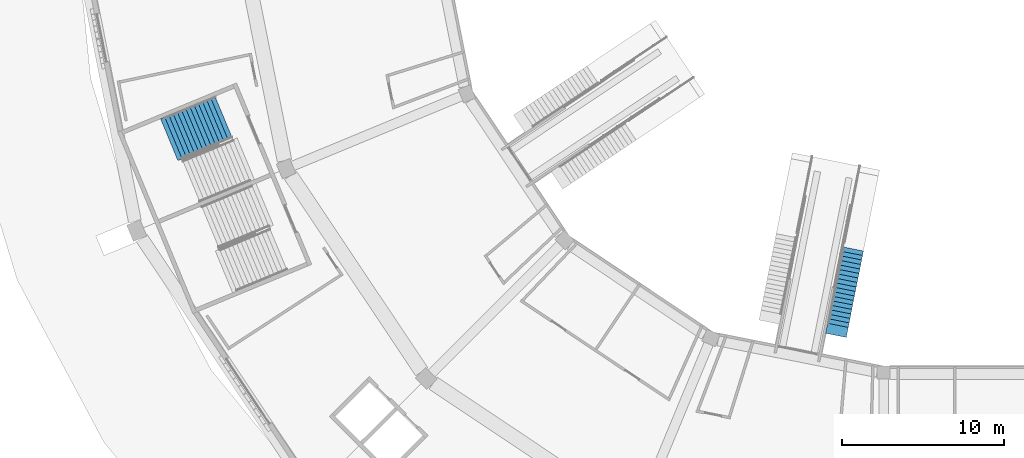
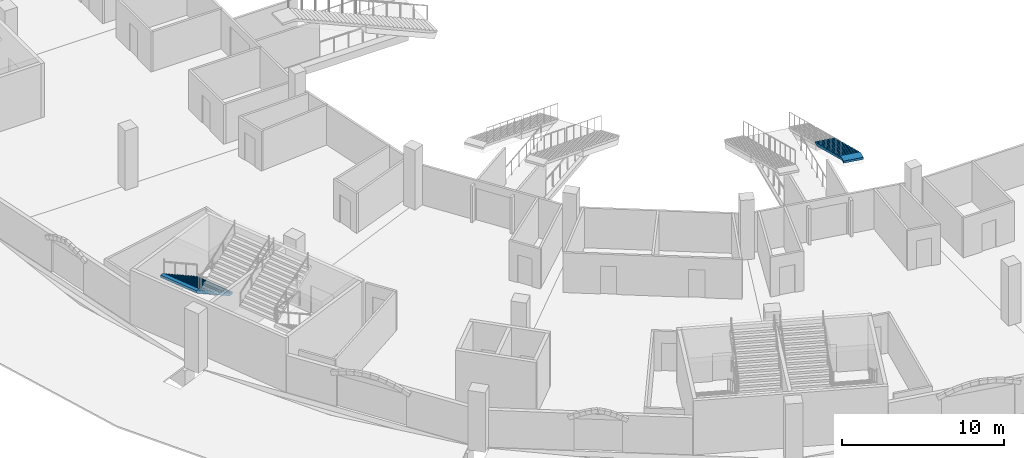
# One storey, part 53 of 175: 2 stair flights, 2 elements without a shape of their own.
"""IFC4 building model written with IfcOpenShell, lengths in metres."""

from ifc_helpers import new_model, si_unit, direction, frame, origin, place, context, subcontext, project, spatial, faceted_brep, material, type_object, element, aggregate, save


model = new_model("IFC4")

# Units and contexts
model_context = context("Model", 3, precision=1e-05, world=origin(), true_north=direction((0.0, 1.0)))
body_context = subcontext(model_context, "Body", "Model", "MODEL_VIEW")
ifc_project = project(units=[si_unit("LENGTHUNIT", "METRE"), si_unit("AREAUNIT", "SQUARE_METRE"), si_unit("VOLUMEUNIT", "CUBIC_METRE"), si_unit("PLANEANGLEUNIT", "RADIAN"), si_unit("MASSUNIT", "GRAM", prefix="KILO")], contexts=[model_context])

# Site, building, storey
site_placement = place(None, origin())
site = spatial("IfcSite", under=ifc_project, at=site_placement, CompositionType="ELEMENT")
building_placement = place(site_placement, origin())
building = spatial("IfcBuilding", under=site, at=building_placement, Name="Ogive Plaza Stadium", CompositionType="ELEMENT")
storey_placement = place(building_placement, origin())
storey = spatial("IfcBuildingStorey", under=building, at=storey_placement, Name="L00", CompositionType="ELEMENT", Elevation=0.0)

# Stair, stair flight
ifc_material_1 = material(Name="Concrete C40/50", Category="concrete")
stair_type_1 = type_object("IfcStairType", Name="Aisle stair", PredefinedType="STRAIGHT_RUN_STAIR", material=ifc_material_1)
stair_1_placement = place(storey_placement, origin())
stair_1 = element("IfcStair", 1, at=stair_1_placement, inside=storey, type_object=stair_type_1, Name="Aisle stair SA17R", PredefinedType="STRAIGHT_RUN_STAIR")
ifc_material_2 = material(Name="Concrete C40/50", Category="concrete")
stair_flight_type_1 = type_object("IfcStairFlightType", Name="Aisle stair flight", PredefinedType="STRAIGHT", material=ifc_material_2)
stair_flight_1_placement = place(storey_placement, frame((-35.890869140625, -72.7705078125, 2.25), z_axis=(0.0, 0.0, 1.0), x_axis=(-0.195090322016, -0.980785280403, 0.0)))
stair_flight_1 = element("IfcStairFlight", 2, at=stair_flight_1_placement, type_object=stair_flight_type_1, Name="SA17R flight 2", NumberOfRisers=18, NumberOfTreads=17, PredefinedType="STRAIGHT", RiserHeight=0.125, TreadLength=0.283333333, context=body_context, shape_type="Brep", body=[
    faceted_brep([(0.371337890625, -0.64990234375, 0.0), (5.10009765625, -0.64990234375, 2.086181640625), (5.446533203125, -0.64990234375, 2.086181640625), (5.446533203125, -0.64990234375, 2.25), (4.816650390625, -0.64990234375, 2.25), (4.816650390625, -0.64990234375, 2.125), (4.533447265625, -0.64990234375, 2.125), (4.533447265625, -0.64990234375, 2.0), (4.25, -0.64990234375, 2.0), (4.25, -0.64990234375, 1.875), (3.966552734375, -0.64990234375, 1.875), (3.966552734375, -0.64990234375, 1.75), (3.683349609375, -0.64990234375, 1.75), (3.683349609375, -0.64990234375, 1.625), (3.39990234375, -0.64990234375, 1.625), (3.39990234375, -0.64990234375, 1.5), (3.11669921875, -0.64990234375, 1.5), (3.11669921875, -0.64990234375, 1.375), (2.833251953125, -0.64990234375, 1.375), (2.833251953125, -0.64990234375, 1.25), (2.550048828125, -0.64990234375, 1.25), (2.550048828125, -0.64990234375, 1.125), (2.2666015625, -0.64990234375, 1.125), (2.2666015625, -0.64990234375, 1.0), (1.9833984375, -0.64990234375, 1.0), (1.9833984375, -0.64990234375, 0.875), (1.699951171875, -0.64990234375, 0.875), (1.699951171875, -0.64990234375, 0.75), (1.416748046875, -0.64990234375, 0.75), (1.416748046875, -0.64990234375, 0.625), (1.13330078125, -0.64990234375, 0.625), (1.13330078125, -0.64990234375, 0.5), (0.85009765625, -0.64990234375, 0.5), (0.85009765625, -0.64990234375, 0.375), (0.566650390625, -0.64990234375, 0.375), (0.566650390625, -0.64990234375, 0.25), (0.283447265625, -0.64990234375, 0.25), (0.283447265625, -0.64990234375, 0.125), (0.0, -0.64990234375, 0.125), (0.0, -0.64990234375, 0.0), (0.0, 0.64990234375, 0.0), (0.0, 0.64990234375, 0.125), (0.283447265625, 0.64990234375, 0.125), (0.283447265625, 0.64990234375, 0.25), (0.566650390625, 0.64990234375, 0.25), (0.566650390625, 0.64990234375, 0.375), (0.85009765625, 0.64990234375, 0.375), (0.85009765625, 0.64990234375, 0.5), (1.13330078125, 0.64990234375, 0.5), (1.13330078125, 0.64990234375, 0.625), (1.416748046875, 0.64990234375, 0.625), (1.416748046875, 0.64990234375, 0.75), (1.699951171875, 0.64990234375, 0.75), (1.699951171875, 0.64990234375, 0.875), (1.9833984375, 0.64990234375, 0.875), (1.9833984375, 0.64990234375, 1.0), (2.2666015625, 0.64990234375, 1.0), (2.2666015625, 0.64990234375, 1.125), (2.550048828125, 0.64990234375, 1.125), (2.550048828125, 0.64990234375, 1.25), (2.833251953125, 0.64990234375, 1.25), (2.833251953125, 0.64990234375, 1.375), (3.11669921875, 0.64990234375, 1.375), (3.11669921875, 0.64990234375, 1.5), (3.39990234375, 0.64990234375, 1.5), (3.39990234375, 0.64990234375, 1.625), (3.683349609375, 0.64990234375, 1.625), (3.683349609375, 0.64990234375, 1.75), (3.966552734375, 0.64990234375, 1.75), (3.966552734375, 0.64990234375, 1.875), (4.25, 0.64990234375, 1.875), (4.25, 0.64990234375, 2.0), (4.533447265625, 0.64990234375, 2.0), (4.533447265625, 0.64990234375, 2.125), (4.816650390625, 0.64990234375, 2.125), (4.816650390625, 0.64990234375, 2.25), (5.446533203125, 0.64990234375, 2.25), (5.446533203125, 0.64990234375, 2.086181640625), (5.10009765625, 0.64990234375, 2.086181640625), (0.371337890625, 0.64990234375, 0.0), (0.371337890625, -0.324951171875, 0.0), (5.10009765625, -0.324951171875, 2.086181640625), (0.371337890625, 0.0, 0.0), (5.10009765625, 0.0, 2.086181640625), (0.371337890625, 0.324951171875, 0.0), (5.10009765625, 0.324951171875, 2.086181640625), (5.446533203125, -0.324951171875, 2.086181640625), (5.446533203125, 0.0, 2.086181640625), (5.446533203125, 0.324951171875, 2.086181640625), (5.446533203125, -0.324951171875, 2.25), (5.446533203125, 0.0, 2.25), (5.446533203125, 0.324951171875, 2.25), (4.816650390625, -0.324951171875, 2.25), (4.816650390625, 0.0, 2.25), (4.816650390625, 0.324951171875, 2.25), (4.816650390625, -0.324951171875, 2.125), (4.816650390625, 0.0, 2.125), (4.816650390625, 0.324951171875, 2.125), (4.533447265625, -0.324951171875, 2.125), (4.533447265625, 0.0, 2.125), (4.533447265625, 0.324951171875, 2.125), (4.533447265625, -0.324951171875, 2.0), (4.533447265625, 0.0, 2.0), (4.533447265625, 0.324951171875, 2.0), (4.25, -0.324951171875, 2.0), (4.25, 0.0, 2.0), (4.25, 0.324951171875, 2.0), (4.25, -0.324951171875, 1.875), (4.25, 0.0, 1.875), (4.25, 0.324951171875, 1.875), (3.966552734375, -0.324951171875, 1.875), (3.966552734375, 0.0, 1.875), (3.966552734375, 0.324951171875, 1.875), (3.966552734375, -0.324951171875, 1.75), (3.966552734375, 0.0, 1.75), (3.966552734375, 0.324951171875, 1.75), (3.683349609375, -0.324951171875, 1.75), (3.683349609375, 0.0, 1.75), (3.683349609375, 0.324951171875, 1.75), (3.683349609375, -0.324951171875, 1.625), (3.683349609375, 0.0, 1.625), (3.683349609375, 0.324951171875, 1.625), (3.39990234375, -0.324951171875, 1.625), (3.39990234375, 0.0, 1.625), (3.39990234375, 0.324951171875, 1.625), (3.39990234375, -0.324951171875, 1.5), (3.39990234375, 0.0, 1.5), (3.39990234375, 0.324951171875, 1.5), (3.11669921875, -0.324951171875, 1.5), (3.11669921875, 0.0, 1.5), (3.11669921875, 0.324951171875, 1.5), (3.11669921875, -0.324951171875, 1.375), (3.11669921875, 0.0, 1.375), (3.11669921875, 0.324951171875, 1.375), (2.833251953125, -0.324951171875, 1.375), (2.833251953125, 0.0, 1.375), (2.833251953125, 0.324951171875, 1.375), (2.833251953125, -0.324951171875, 1.25), (2.833251953125, 0.0, 1.25), (2.833251953125, 0.324951171875, 1.25), (2.550048828125, -0.324951171875, 1.25), (2.550048828125, 0.0, 1.25), (2.550048828125, 0.324951171875, 1.25), (2.550048828125, -0.324951171875, 1.125), (2.550048828125, 0.0, 1.125), (2.550048828125, 0.324951171875, 1.125), (2.2666015625, -0.324951171875, 1.125), (2.2666015625, 0.0, 1.125), (2.2666015625, 0.324951171875, 1.125), (2.2666015625, -0.324951171875, 1.0), (2.2666015625, 0.0, 1.0), (2.2666015625, 0.324951171875, 1.0), (1.9833984375, -0.324951171875, 1.0), (1.9833984375, 0.0, 1.0), (1.9833984375, 0.324951171875, 1.0), (1.9833984375, -0.324951171875, 0.875), (1.9833984375, 0.0, 0.875), (1.9833984375, 0.324951171875, 0.875), (1.699951171875, -0.324951171875, 0.875), (1.699951171875, 0.0, 0.875), (1.699951171875, 0.324951171875, 0.875), (1.699951171875, -0.324951171875, 0.75), (1.699951171875, 0.0, 0.75), (1.699951171875, 0.324951171875, 0.75), (1.416748046875, -0.324951171875, 0.75), (1.416748046875, 0.0, 0.75), (1.416748046875, 0.324951171875, 0.75), (1.416748046875, -0.324951171875, 0.625), (1.416748046875, 0.0, 0.625), (1.416748046875, 0.324951171875, 0.625), (1.13330078125, -0.324951171875, 0.625), (1.13330078125, 0.0, 0.625), (1.13330078125, 0.324951171875, 0.625), (1.13330078125, -0.324951171875, 0.5), (1.13330078125, 0.0, 0.5), (1.13330078125, 0.324951171875, 0.5), (0.85009765625, -0.324951171875, 0.5), (0.85009765625, 0.0, 0.5), (0.85009765625, 0.324951171875, 0.5), (0.85009765625, -0.324951171875, 0.375), (0.85009765625, 0.0, 0.375), (0.85009765625, 0.324951171875, 0.375), (0.566650390625, -0.324951171875, 0.375), (0.566650390625, 0.0, 0.375), (0.566650390625, 0.324951171875, 0.375), (0.566650390625, -0.324951171875, 0.25), (0.566650390625, 0.0, 0.25), (0.566650390625, 0.324951171875, 0.25), (0.283447265625, -0.324951171875, 0.25), (0.283447265625, 0.0, 0.25), (0.283447265625, 0.324951171875, 0.25), (0.283447265625, -0.324951171875, 0.125), (0.283447265625, 0.0, 0.125), (0.283447265625, 0.324951171875, 0.125), (0.0, -0.324951171875, 0.125), (0.0, 0.0, 0.125), (0.0, 0.324951171875, 0.125), (0.0, -0.324951171875, 0.0), (0.0, 0.0, 0.0), (0.0, 0.324951171875, 0.0)], [[[0, 1, 2, 3, 4, 5, 6, 7, 8, 9, 10, 11, 12, 13, 14, 15, 16, 17, 18, 19, 20, 21, 22, 23, 24, 25, 26, 27, 28, 29, 30, 31, 32, 33, 34, 35, 36, 37, 38, 39]], [[40, 41, 42, 43, 44, 45, 46, 47, 48, 49, 50, 51, 52, 53, 54, 55, 56, 57, 58, 59, 60, 61, 62, 63, 64, 65, 66, 67, 68, 69, 70, 71, 72, 73, 74, 75, 76, 77, 78, 79]], [[0, 80, 81, 1]], [[80, 82, 83, 81]], [[82, 84, 85, 83]], [[84, 79, 78, 85]], [[1, 81, 86, 2]], [[81, 83, 87, 86]], [[83, 85, 88, 87]], [[85, 78, 77, 88]], [[2, 86, 89, 3]], [[86, 87, 90, 89]], [[87, 88, 91, 90]], [[88, 77, 76, 91]], [[3, 89, 92, 4]], [[89, 90, 93, 92]], [[90, 91, 94, 93]], [[91, 76, 75, 94]], [[4, 92, 95, 5]], [[92, 93, 96, 95]], [[93, 94, 97, 96]], [[94, 75, 74, 97]], [[5, 95, 98, 6]], [[95, 96, 99, 98]], [[96, 97, 100, 99]], [[97, 74, 73, 100]], [[6, 98, 101, 7]], [[98, 99, 102, 101]], [[99, 100, 103, 102]], [[100, 73, 72, 103]], [[7, 101, 104, 8]], [[101, 102, 105, 104]], [[102, 103, 106, 105]], [[103, 72, 71, 106]], [[8, 104, 107, 9]], [[104, 105, 108, 107]], [[105, 106, 109, 108]], [[106, 71, 70, 109]], [[9, 107, 110, 10]], [[107, 108, 111, 110]], [[108, 109, 112, 111]], [[109, 70, 69, 112]], [[10, 110, 113, 11]], [[110, 111, 114, 113]], [[111, 112, 115, 114]], [[112, 69, 68, 115]], [[11, 113, 116, 12]], [[113, 114, 117, 116]], [[114, 115, 118, 117]], [[115, 68, 67, 118]], [[12, 116, 119, 13]], [[116, 117, 120, 119]], [[117, 118, 121, 120]], [[118, 67, 66, 121]], [[13, 119, 122, 14]], [[119, 120, 123, 122]], [[120, 121, 124, 123]], [[121, 66, 65, 124]], [[14, 122, 125, 15]], [[122, 123, 126, 125]], [[123, 124, 127, 126]], [[124, 65, 64, 127]], [[15, 125, 128, 16]], [[125, 126, 129, 128]], [[126, 127, 130, 129]], [[127, 64, 63, 130]], [[16, 128, 131, 17]], [[128, 129, 132, 131]], [[129, 130, 133, 132]], [[130, 63, 62, 133]], [[17, 131, 134, 18]], [[131, 132, 135, 134]], [[132, 133, 136, 135]], [[133, 62, 61, 136]], [[18, 134, 137, 19]], [[134, 135, 138, 137]], [[135, 136, 139, 138]], [[136, 61, 60, 139]], [[19, 137, 140, 20]], [[137, 138, 141, 140]], [[138, 139, 142, 141]], [[139, 60, 59, 142]], [[20, 140, 143, 21]], [[140, 141, 144, 143]], [[141, 142, 145, 144]], [[142, 59, 58, 145]], [[21, 143, 146, 22]], [[143, 144, 147, 146]], [[144, 145, 148, 147]], [[145, 58, 57, 148]], [[22, 146, 149, 23]], [[146, 147, 150, 149]], [[147, 148, 151, 150]], [[148, 57, 56, 151]], [[23, 149, 152, 24]], [[149, 150, 153, 152]], [[150, 151, 154, 153]], [[151, 56, 55, 154]], [[24, 152, 155, 25]], [[152, 153, 156, 155]], [[153, 154, 157, 156]], [[154, 55, 54, 157]], [[25, 155, 158, 26]], [[155, 156, 159, 158]], [[156, 157, 160, 159]], [[157, 54, 53, 160]], [[26, 158, 161, 27]], [[158, 159, 162, 161]], [[159, 160, 163, 162]], [[160, 53, 52, 163]], [[27, 161, 164, 28]], [[161, 162, 165, 164]], [[162, 163, 166, 165]], [[163, 52, 51, 166]], [[28, 164, 167, 29]], [[164, 165, 168, 167]], [[165, 166, 169, 168]], [[166, 51, 50, 169]], [[29, 167, 170, 30]], [[167, 168, 171, 170]], [[168, 169, 172, 171]], [[169, 50, 49, 172]], [[30, 170, 173, 31]], [[170, 171, 174, 173]], [[171, 172, 175, 174]], [[172, 49, 48, 175]], [[31, 173, 176, 32]], [[173, 174, 177, 176]], [[174, 175, 178, 177]], [[175, 48, 47, 178]], [[32, 176, 179, 33]], [[176, 177, 180, 179]], [[177, 178, 181, 180]], [[178, 47, 46, 181]], [[33, 179, 182, 34]], [[179, 180, 183, 182]], [[180, 181, 184, 183]], [[181, 46, 45, 184]], [[34, 182, 185, 35]], [[182, 183, 186, 185]], [[183, 184, 187, 186]], [[184, 45, 44, 187]], [[35, 185, 188, 36]], [[185, 186, 189, 188]], [[186, 187, 190, 189]], [[187, 44, 43, 190]], [[36, 188, 191, 37]], [[188, 189, 192, 191]], [[189, 190, 193, 192]], [[190, 43, 42, 193]], [[37, 191, 194, 38]], [[191, 192, 195, 194]], [[192, 193, 196, 195]], [[193, 42, 41, 196]], [[38, 194, 197, 39]], [[194, 195, 198, 197]], [[195, 196, 199, 198]], [[196, 41, 40, 199]], [[39, 197, 80, 0]], [[197, 198, 82, 80]], [[198, 199, 84, 82]], [[199, 40, 79, 84]]]),
])
aggregate(stair_1, [stair_flight_1])

ifc_material_3 = material(Name="Concrete C40/50", Category="concrete")
stair_type_2 = type_object("IfcStairType", Name="Exit stair", PredefinedType="STRAIGHT_RUN_STAIR", material=ifc_material_3)
stair_2_placement = place(storey_placement, origin())
stair_2 = element("IfcStair", 3, at=stair_2_placement, inside=storey, type_object=stair_type_2, Name="Exit stair ST20A L00 to L01", PredefinedType="STRAIGHT_RUN_STAIR")
ifc_material_4 = material(Name="Concrete C40/50", Category="concrete")
stair_flight_type_2 = type_object("IfcStairFlightType", Name="Exit stair flight", PredefinedType="STRAIGHT", material=ifc_material_4)
stair_flight_2_placement = place(storey_placement, frame((-74.819580078125, -64.618408203125, 0.0), z_axis=(0.0, 0.0, 1.0), x_axis=(-0.923879532511, -0.382683432365, 0.0)))
stair_flight_2 = element("IfcStairFlight", 4, at=stair_flight_2_placement, type_object=stair_flight_type_2, Name="ST20A flight 1", NumberOfRisers=13, NumberOfTreads=12, PredefinedType="STRAIGHT", RiserHeight=0.173076923, TreadLength=0.28, context=body_context, shape_type="Brep", body=[
    faceted_brep([(0.28515625, -1.39990234375, 0.0), (3.639892578125, -1.39990234375, 2.07373046875), (3.639892578125, -1.39990234375, 2.25), (3.360107421875, -1.39990234375, 2.25), (3.360107421875, -1.39990234375, 2.076904296875), (3.080078125, -1.39990234375, 2.076904296875), (3.080078125, -1.39990234375, 1.90380859375), (2.800048828125, -1.39990234375, 1.90380859375), (2.800048828125, -1.39990234375, 1.730712890625), (2.52001953125, -1.39990234375, 1.730712890625), (2.52001953125, -1.39990234375, 1.5576171875), (2.239990234375, -1.39990234375, 1.5576171875), (2.239990234375, -1.39990234375, 1.384521484375), (1.9599609375, -1.39990234375, 1.384521484375), (1.9599609375, -1.39990234375, 1.21142578125), (1.679931640625, -1.39990234375, 1.21142578125), (1.679931640625, -1.39990234375, 1.03857421875), (1.39990234375, -1.39990234375, 1.03857421875), (1.39990234375, -1.39990234375, 0.865478515625), (1.1201171875, -1.39990234375, 0.865478515625), (1.1201171875, -1.39990234375, 0.6923828125), (0.840087890625, -1.39990234375, 0.6923828125), (0.840087890625, -1.39990234375, 0.519287109375), (0.56005859375, -1.39990234375, 0.519287109375), (0.56005859375, -1.39990234375, 0.34619140625), (0.280029296875, -1.39990234375, 0.34619140625), (0.280029296875, -1.39990234375, 0.173095703125), (0.0, -1.39990234375, 0.173095703125), (0.0, -1.39990234375, 0.0), (0.0, 1.39990234375, 0.0), (0.0, 1.39990234375, 0.173095703125), (0.280029296875, 1.39990234375, 0.173095703125), (0.280029296875, 1.39990234375, 0.34619140625), (0.56005859375, 1.39990234375, 0.34619140625), (0.56005859375, 1.39990234375, 0.519287109375), (0.840087890625, 1.39990234375, 0.519287109375), (0.840087890625, 1.39990234375, 0.6923828125), (1.1201171875, 1.39990234375, 0.6923828125), (1.1201171875, 1.39990234375, 0.865478515625), (1.39990234375, 1.39990234375, 0.865478515625), (1.39990234375, 1.39990234375, 1.03857421875), (1.679931640625, 1.39990234375, 1.03857421875), (1.679931640625, 1.39990234375, 1.21142578125), (1.9599609375, 1.39990234375, 1.21142578125), (1.9599609375, 1.39990234375, 1.384521484375), (2.239990234375, 1.39990234375, 1.384521484375), (2.239990234375, 1.39990234375, 1.5576171875), (2.52001953125, 1.39990234375, 1.5576171875), (2.52001953125, 1.39990234375, 1.730712890625), (2.800048828125, 1.39990234375, 1.730712890625), (2.800048828125, 1.39990234375, 1.90380859375), (3.080078125, 1.39990234375, 1.90380859375), (3.080078125, 1.39990234375, 2.076904296875), (3.360107421875, 1.39990234375, 2.076904296875), (3.360107421875, 1.39990234375, 2.25), (3.639892578125, 1.39990234375, 2.25), (3.639892578125, 1.39990234375, 2.07373046875), (0.28515625, 1.39990234375, 0.0), (0.28515625, -1.0888671875, 0.0), (3.639892578125, -1.0888671875, 2.07373046875), (0.28515625, -0.77783203125, 0.0), (3.639892578125, -0.77783203125, 2.07373046875), (0.28515625, -0.466796875, 0.0), (3.639892578125, -0.466796875, 2.07373046875), (0.28515625, -0.155517578125, 0.0), (3.639892578125, -0.155517578125, 2.07373046875), (0.28515625, 0.155517578125, 0.0), (3.639892578125, 0.155517578125, 2.07373046875), (0.28515625, 0.466796875, 0.0), (3.639892578125, 0.466796875, 2.07373046875), (0.28515625, 0.77783203125, 0.0), (3.639892578125, 0.77783203125, 2.07373046875), (0.28515625, 1.0888671875, 0.0), (3.639892578125, 1.0888671875, 2.07373046875), (3.639892578125, -1.0888671875, 2.25), (3.639892578125, -0.77783203125, 2.25), (3.639892578125, -0.466796875, 2.25), (3.639892578125, -0.155517578125, 2.25), (3.639892578125, 0.155517578125, 2.25), (3.639892578125, 0.466796875, 2.25), (3.639892578125, 0.77783203125, 2.25), (3.639892578125, 1.0888671875, 2.25), (3.360107421875, -1.0888671875, 2.25), (3.360107421875, -0.77783203125, 2.25), (3.360107421875, -0.466796875, 2.25), (3.360107421875, -0.155517578125, 2.25), (3.360107421875, 0.155517578125, 2.25), (3.360107421875, 0.466796875, 2.25), (3.360107421875, 0.77783203125, 2.25), (3.360107421875, 1.0888671875, 2.25), (3.360107421875, -1.0888671875, 2.076904296875), (3.360107421875, -0.77783203125, 2.076904296875), (3.360107421875, -0.466796875, 2.076904296875), (3.360107421875, -0.155517578125, 2.076904296875), (3.360107421875, 0.155517578125, 2.076904296875), (3.360107421875, 0.466796875, 2.076904296875), (3.360107421875, 0.77783203125, 2.076904296875), (3.360107421875, 1.0888671875, 2.076904296875), (3.080078125, -1.0888671875, 2.076904296875), (3.080078125, -0.77783203125, 2.076904296875), (3.080078125, -0.466796875, 2.076904296875), (3.080078125, -0.155517578125, 2.076904296875), (3.080078125, 0.155517578125, 2.076904296875), (3.080078125, 0.466796875, 2.076904296875), (3.080078125, 0.77783203125, 2.076904296875), (3.080078125, 1.0888671875, 2.076904296875), (3.080078125, -1.0888671875, 1.90380859375), (3.080078125, -0.77783203125, 1.90380859375), (3.080078125, -0.466796875, 1.90380859375), (3.080078125, -0.155517578125, 1.90380859375), (3.080078125, 0.155517578125, 1.90380859375), (3.080078125, 0.466796875, 1.90380859375), (3.080078125, 0.77783203125, 1.90380859375), (3.080078125, 1.0888671875, 1.90380859375), (2.800048828125, -1.0888671875, 1.90380859375), (2.800048828125, -0.77783203125, 1.90380859375), (2.800048828125, -0.466796875, 1.90380859375), (2.800048828125, -0.155517578125, 1.90380859375), (2.800048828125, 0.155517578125, 1.90380859375), (2.800048828125, 0.466796875, 1.90380859375), (2.800048828125, 0.77783203125, 1.90380859375), (2.800048828125, 1.0888671875, 1.90380859375), (2.800048828125, -1.0888671875, 1.730712890625), (2.800048828125, -0.77783203125, 1.730712890625), (2.800048828125, -0.466796875, 1.730712890625), (2.800048828125, -0.155517578125, 1.730712890625), (2.800048828125, 0.155517578125, 1.730712890625), (2.800048828125, 0.466796875, 1.730712890625), (2.800048828125, 0.77783203125, 1.730712890625), (2.800048828125, 1.0888671875, 1.730712890625), (2.52001953125, -1.0888671875, 1.730712890625), (2.52001953125, -0.77783203125, 1.730712890625), (2.52001953125, -0.466796875, 1.730712890625), (2.52001953125, -0.155517578125, 1.730712890625), (2.52001953125, 0.155517578125, 1.730712890625), (2.52001953125, 0.466796875, 1.730712890625), (2.52001953125, 0.77783203125, 1.730712890625), (2.52001953125, 1.0888671875, 1.730712890625), (2.52001953125, -1.0888671875, 1.5576171875), (2.52001953125, -0.77783203125, 1.5576171875), (2.52001953125, -0.466796875, 1.5576171875), (2.52001953125, -0.155517578125, 1.5576171875), (2.52001953125, 0.155517578125, 1.5576171875), (2.52001953125, 0.466796875, 1.5576171875), (2.52001953125, 0.77783203125, 1.5576171875), (2.52001953125, 1.0888671875, 1.5576171875), (2.239990234375, -1.0888671875, 1.5576171875), (2.239990234375, -0.77783203125, 1.5576171875), (2.239990234375, -0.466796875, 1.5576171875), (2.239990234375, -0.155517578125, 1.5576171875), (2.239990234375, 0.155517578125, 1.5576171875), (2.239990234375, 0.466796875, 1.5576171875), (2.239990234375, 0.77783203125, 1.5576171875), (2.239990234375, 1.0888671875, 1.5576171875), (2.239990234375, -1.0888671875, 1.384521484375), (2.239990234375, -0.77783203125, 1.384521484375), (2.239990234375, -0.466796875, 1.384521484375), (2.239990234375, -0.155517578125, 1.384521484375), (2.239990234375, 0.155517578125, 1.384521484375), (2.239990234375, 0.466796875, 1.384521484375), (2.239990234375, 0.77783203125, 1.384521484375), (2.239990234375, 1.0888671875, 1.384521484375), (1.9599609375, -1.0888671875, 1.384521484375), (1.9599609375, -0.77783203125, 1.384521484375), (1.9599609375, -0.466796875, 1.384521484375), (1.9599609375, -0.155517578125, 1.384521484375), (1.9599609375, 0.155517578125, 1.384521484375), (1.9599609375, 0.466796875, 1.384521484375), (1.9599609375, 0.77783203125, 1.384521484375), (1.9599609375, 1.0888671875, 1.384521484375), (1.9599609375, -1.0888671875, 1.21142578125), (1.9599609375, -0.77783203125, 1.21142578125), (1.9599609375, -0.466796875, 1.21142578125), (1.9599609375, -0.155517578125, 1.21142578125), (1.9599609375, 0.155517578125, 1.21142578125), (1.9599609375, 0.466796875, 1.21142578125), (1.9599609375, 0.77783203125, 1.21142578125), (1.9599609375, 1.0888671875, 1.21142578125), (1.679931640625, -1.0888671875, 1.21142578125), (1.679931640625, -0.77783203125, 1.21142578125), (1.679931640625, -0.466796875, 1.21142578125), (1.679931640625, -0.155517578125, 1.21142578125), (1.679931640625, 0.155517578125, 1.21142578125), (1.679931640625, 0.466796875, 1.21142578125), (1.679931640625, 0.77783203125, 1.21142578125), (1.679931640625, 1.0888671875, 1.21142578125), (1.679931640625, -1.0888671875, 1.03857421875), (1.679931640625, -0.77783203125, 1.03857421875), (1.679931640625, -0.466796875, 1.03857421875), (1.679931640625, -0.155517578125, 1.03857421875), (1.679931640625, 0.155517578125, 1.03857421875), (1.679931640625, 0.466796875, 1.03857421875), (1.679931640625, 0.77783203125, 1.03857421875), (1.679931640625, 1.0888671875, 1.03857421875), (1.39990234375, -1.0888671875, 1.03857421875), (1.39990234375, -0.77783203125, 1.03857421875), (1.39990234375, -0.466796875, 1.03857421875), (1.39990234375, -0.155517578125, 1.03857421875), (1.39990234375, 0.155517578125, 1.03857421875), (1.39990234375, 0.466796875, 1.03857421875), (1.39990234375, 0.77783203125, 1.03857421875), (1.39990234375, 1.0888671875, 1.03857421875), (1.39990234375, -1.0888671875, 0.865478515625), (1.39990234375, -0.77783203125, 0.865478515625), (1.39990234375, -0.466796875, 0.865478515625), (1.39990234375, -0.155517578125, 0.865478515625), (1.39990234375, 0.155517578125, 0.865478515625), (1.39990234375, 0.466796875, 0.865478515625), (1.39990234375, 0.77783203125, 0.865478515625), (1.39990234375, 1.0888671875, 0.865478515625), (1.1201171875, -1.0888671875, 0.865478515625), (1.1201171875, -0.77783203125, 0.865478515625), (1.1201171875, -0.466796875, 0.865478515625), (1.1201171875, -0.155517578125, 0.865478515625), (1.1201171875, 0.155517578125, 0.865478515625), (1.1201171875, 0.466796875, 0.865478515625), (1.1201171875, 0.77783203125, 0.865478515625), (1.1201171875, 1.0888671875, 0.865478515625), (1.1201171875, -1.0888671875, 0.6923828125), (1.1201171875, -0.77783203125, 0.6923828125), (1.1201171875, -0.466796875, 0.6923828125), (1.1201171875, -0.155517578125, 0.6923828125), (1.1201171875, 0.155517578125, 0.6923828125), (1.1201171875, 0.466796875, 0.6923828125), (1.1201171875, 0.77783203125, 0.6923828125), (1.1201171875, 1.0888671875, 0.6923828125), (0.840087890625, -1.0888671875, 0.6923828125), (0.840087890625, -0.77783203125, 0.6923828125), (0.840087890625, -0.466796875, 0.6923828125), (0.840087890625, -0.155517578125, 0.6923828125), (0.840087890625, 0.155517578125, 0.6923828125), (0.840087890625, 0.466796875, 0.6923828125), (0.840087890625, 0.77783203125, 0.6923828125), (0.840087890625, 1.0888671875, 0.6923828125), (0.840087890625, -1.0888671875, 0.519287109375), (0.840087890625, -0.77783203125, 0.519287109375), (0.840087890625, -0.466796875, 0.519287109375), (0.840087890625, -0.155517578125, 0.519287109375), (0.840087890625, 0.155517578125, 0.519287109375), (0.840087890625, 0.466796875, 0.519287109375), (0.840087890625, 0.77783203125, 0.519287109375), (0.840087890625, 1.0888671875, 0.519287109375), (0.56005859375, -1.0888671875, 0.519287109375), (0.56005859375, -0.77783203125, 0.519287109375), (0.56005859375, -0.466796875, 0.519287109375), (0.56005859375, -0.155517578125, 0.519287109375), (0.56005859375, 0.155517578125, 0.519287109375), (0.56005859375, 0.466796875, 0.519287109375), (0.56005859375, 0.77783203125, 0.519287109375), (0.56005859375, 1.0888671875, 0.519287109375), (0.56005859375, -1.0888671875, 0.34619140625), (0.56005859375, -0.77783203125, 0.34619140625), (0.56005859375, -0.466796875, 0.34619140625), (0.56005859375, -0.155517578125, 0.34619140625), (0.56005859375, 0.155517578125, 0.34619140625), (0.56005859375, 0.466796875, 0.34619140625), (0.56005859375, 0.77783203125, 0.34619140625), (0.56005859375, 1.0888671875, 0.34619140625), (0.280029296875, -1.0888671875, 0.34619140625), (0.280029296875, -0.77783203125, 0.34619140625), (0.280029296875, -0.466796875, 0.34619140625), (0.280029296875, -0.155517578125, 0.34619140625), (0.280029296875, 0.155517578125, 0.34619140625), (0.280029296875, 0.466796875, 0.34619140625), (0.280029296875, 0.77783203125, 0.34619140625), (0.280029296875, 1.0888671875, 0.34619140625), (0.280029296875, -1.0888671875, 0.173095703125), (0.280029296875, -0.77783203125, 0.173095703125), (0.280029296875, -0.466796875, 0.173095703125), (0.280029296875, -0.155517578125, 0.173095703125), (0.280029296875, 0.155517578125, 0.173095703125), (0.280029296875, 0.466796875, 0.173095703125), (0.280029296875, 0.77783203125, 0.173095703125), (0.280029296875, 1.0888671875, 0.173095703125), (0.0, -1.0888671875, 0.173095703125), (0.0, -0.77783203125, 0.173095703125), (0.0, -0.466796875, 0.173095703125), (0.0, -0.155517578125, 0.173095703125), (0.0, 0.155517578125, 0.173095703125), (0.0, 0.466796875, 0.173095703125), (0.0, 0.77783203125, 0.173095703125), (0.0, 1.0888671875, 0.173095703125), (0.0, -1.0888671875, 0.0), (0.0, -0.77783203125, 0.0), (0.0, -0.466796875, 0.0), (0.0, -0.155517578125, 0.0), (0.0, 0.155517578125, 0.0), (0.0, 0.466796875, 0.0), (0.0, 0.77783203125, 0.0), (0.0, 1.0888671875, 0.0)], [[[0, 1, 2, 3, 4, 5, 6, 7, 8, 9, 10, 11, 12, 13, 14, 15, 16, 17, 18, 19, 20, 21, 22, 23, 24, 25, 26, 27, 28]], [[29, 30, 31, 32, 33, 34, 35, 36, 37, 38, 39, 40, 41, 42, 43, 44, 45, 46, 47, 48, 49, 50, 51, 52, 53, 54, 55, 56, 57]], [[0, 58, 59, 1]], [[58, 60, 61, 59]], [[60, 62, 63, 61]], [[62, 64, 65, 63]], [[64, 66, 67, 65]], [[66, 68, 69, 67]], [[68, 70, 71, 69]], [[70, 72, 73, 71]], [[72, 57, 56, 73]], [[1, 59, 74, 2]], [[59, 61, 75, 74]], [[61, 63, 76, 75]], [[63, 65, 77, 76]], [[65, 67, 78, 77]], [[67, 69, 79, 78]], [[69, 71, 80, 79]], [[71, 73, 81, 80]], [[73, 56, 55, 81]], [[2, 74, 82, 3]], [[74, 75, 83, 82]], [[75, 76, 84, 83]], [[76, 77, 85, 84]], [[77, 78, 86, 85]], [[78, 79, 87, 86]], [[79, 80, 88, 87]], [[80, 81, 89, 88]], [[81, 55, 54, 89]], [[3, 82, 90, 4]], [[82, 83, 91, 90]], [[83, 84, 92, 91]], [[84, 85, 93, 92]], [[85, 86, 94, 93]], [[86, 87, 95, 94]], [[87, 88, 96, 95]], [[88, 89, 97, 96]], [[89, 54, 53, 97]], [[4, 90, 98, 5]], [[90, 91, 99, 98]], [[91, 92, 100, 99]], [[92, 93, 101, 100]], [[93, 94, 102, 101]], [[94, 95, 103, 102]], [[95, 96, 104, 103]], [[96, 97, 105, 104]], [[97, 53, 52, 105]], [[5, 98, 106, 6]], [[98, 99, 107, 106]], [[99, 100, 108, 107]], [[100, 101, 109, 108]], [[101, 102, 110, 109]], [[102, 103, 111, 110]], [[103, 104, 112, 111]], [[104, 105, 113, 112]], [[105, 52, 51, 113]], [[6, 106, 114, 7]], [[106, 107, 115, 114]], [[107, 108, 116, 115]], [[108, 109, 117, 116]], [[109, 110, 118, 117]], [[110, 111, 119, 118]], [[111, 112, 120, 119]], [[112, 113, 121, 120]], [[113, 51, 50, 121]], [[7, 114, 122, 8]], [[114, 115, 123, 122]], [[115, 116, 124, 123]], [[116, 117, 125, 124]], [[117, 118, 126, 125]], [[118, 119, 127, 126]], [[119, 120, 128, 127]], [[120, 121, 129, 128]], [[121, 50, 49, 129]], [[8, 122, 130, 9]], [[122, 123, 131, 130]], [[123, 124, 132, 131]], [[124, 125, 133, 132]], [[125, 126, 134, 133]], [[126, 127, 135, 134]], [[127, 128, 136, 135]], [[128, 129, 137, 136]], [[129, 49, 48, 137]], [[9, 130, 138, 10]], [[130, 131, 139, 138]], [[131, 132, 140, 139]], [[132, 133, 141, 140]], [[133, 134, 142, 141]], [[134, 135, 143, 142]], [[135, 136, 144, 143]], [[136, 137, 145, 144]], [[137, 48, 47, 145]], [[10, 138, 146, 11]], [[138, 139, 147, 146]], [[139, 140, 148, 147]], [[140, 141, 149, 148]], [[141, 142, 150, 149]], [[142, 143, 151, 150]], [[143, 144, 152, 151]], [[144, 145, 153, 152]], [[145, 47, 46, 153]], [[11, 146, 154, 12]], [[146, 147, 155, 154]], [[147, 148, 156, 155]], [[148, 149, 157, 156]], [[149, 150, 158, 157]], [[150, 151, 159, 158]], [[151, 152, 160, 159]], [[152, 153, 161, 160]], [[153, 46, 45, 161]], [[12, 154, 162, 13]], [[154, 155, 163, 162]], [[155, 156, 164, 163]], [[156, 157, 165, 164]], [[157, 158, 166, 165]], [[158, 159, 167, 166]], [[159, 160, 168, 167]], [[160, 161, 169, 168]], [[161, 45, 44, 169]], [[13, 162, 170, 14]], [[162, 163, 171, 170]], [[163, 164, 172, 171]], [[164, 165, 173, 172]], [[165, 166, 174, 173]], [[166, 167, 175, 174]], [[167, 168, 176, 175]], [[168, 169, 177, 176]], [[169, 44, 43, 177]], [[14, 170, 178, 15]], [[170, 171, 179, 178]], [[171, 172, 180, 179]], [[172, 173, 181, 180]], [[173, 174, 182, 181]], [[174, 175, 183, 182]], [[175, 176, 184, 183]], [[176, 177, 185, 184]], [[177, 43, 42, 185]], [[15, 178, 186, 16]], [[178, 179, 187, 186]], [[179, 180, 188, 187]], [[180, 181, 189, 188]], [[181, 182, 190, 189]], [[182, 183, 191, 190]], [[183, 184, 192, 191]], [[184, 185, 193, 192]], [[185, 42, 41, 193]], [[16, 186, 194, 17]], [[186, 187, 195, 194]], [[187, 188, 196, 195]], [[188, 189, 197, 196]], [[189, 190, 198, 197]], [[190, 191, 199, 198]], [[191, 192, 200, 199]], [[192, 193, 201, 200]], [[193, 41, 40, 201]], [[17, 194, 202, 18]], [[194, 195, 203, 202]], [[195, 196, 204, 203]], [[196, 197, 205, 204]], [[197, 198, 206, 205]], [[198, 199, 207, 206]], [[199, 200, 208, 207]], [[200, 201, 209, 208]], [[201, 40, 39, 209]], [[18, 202, 210, 19]], [[202, 203, 211, 210]], [[203, 204, 212, 211]], [[204, 205, 213, 212]], [[205, 206, 214, 213]], [[206, 207, 215, 214]], [[207, 208, 216, 215]], [[208, 209, 217, 216]], [[209, 39, 38, 217]], [[19, 210, 218, 20]], [[210, 211, 219, 218]], [[211, 212, 220, 219]], [[212, 213, 221, 220]], [[213, 214, 222, 221]], [[214, 215, 223, 222]], [[215, 216, 224, 223]], [[216, 217, 225, 224]], [[217, 38, 37, 225]], [[20, 218, 226, 21]], [[218, 219, 227, 226]], [[219, 220, 228, 227]], [[220, 221, 229, 228]], [[221, 222, 230, 229]], [[222, 223, 231, 230]], [[223, 224, 232, 231]], [[224, 225, 233, 232]], [[225, 37, 36, 233]], [[21, 226, 234, 22]], [[226, 227, 235, 234]], [[227, 228, 236, 235]], [[228, 229, 237, 236]], [[229, 230, 238, 237]], [[230, 231, 239, 238]], [[231, 232, 240, 239]], [[232, 233, 241, 240]], [[233, 36, 35, 241]], [[22, 234, 242, 23]], [[234, 235, 243, 242]], [[235, 236, 244, 243]], [[236, 237, 245, 244]], [[237, 238, 246, 245]], [[238, 239, 247, 246]], [[239, 240, 248, 247]], [[240, 241, 249, 248]], [[241, 35, 34, 249]], [[23, 242, 250, 24]], [[242, 243, 251, 250]], [[243, 244, 252, 251]], [[244, 245, 253, 252]], [[245, 246, 254, 253]], [[246, 247, 255, 254]], [[247, 248, 256, 255]], [[248, 249, 257, 256]], [[249, 34, 33, 257]], [[24, 250, 258, 25]], [[250, 251, 259, 258]], [[251, 252, 260, 259]], [[252, 253, 261, 260]], [[253, 254, 262, 261]], [[254, 255, 263, 262]], [[255, 256, 264, 263]], [[256, 257, 265, 264]], [[257, 33, 32, 265]], [[25, 258, 266, 26]], [[258, 259, 267, 266]], [[259, 260, 268, 267]], [[260, 261, 269, 268]], [[261, 262, 270, 269]], [[262, 263, 271, 270]], [[263, 264, 272, 271]], [[264, 265, 273, 272]], [[265, 32, 31, 273]], [[26, 266, 274, 27]], [[266, 267, 275, 274]], [[267, 268, 276, 275]], [[268, 269, 277, 276]], [[269, 270, 278, 277]], [[270, 271, 279, 278]], [[271, 272, 280, 279]], [[272, 273, 281, 280]], [[273, 31, 30, 281]], [[27, 274, 282, 28]], [[274, 275, 283, 282]], [[275, 276, 284, 283]], [[276, 277, 285, 284]], [[277, 278, 286, 285]], [[278, 279, 287, 286]], [[279, 280, 288, 287]], [[280, 281, 289, 288]], [[281, 30, 29, 289]], [[28, 282, 58, 0]], [[282, 283, 60, 58]], [[283, 284, 62, 60]], [[284, 285, 64, 62]], [[285, 286, 66, 64]], [[286, 287, 68, 66]], [[287, 288, 70, 68]], [[288, 289, 72, 70]], [[289, 29, 57, 72]]]),
])
aggregate(stair_2, [stair_flight_2])

save(model, "model.ifc")
